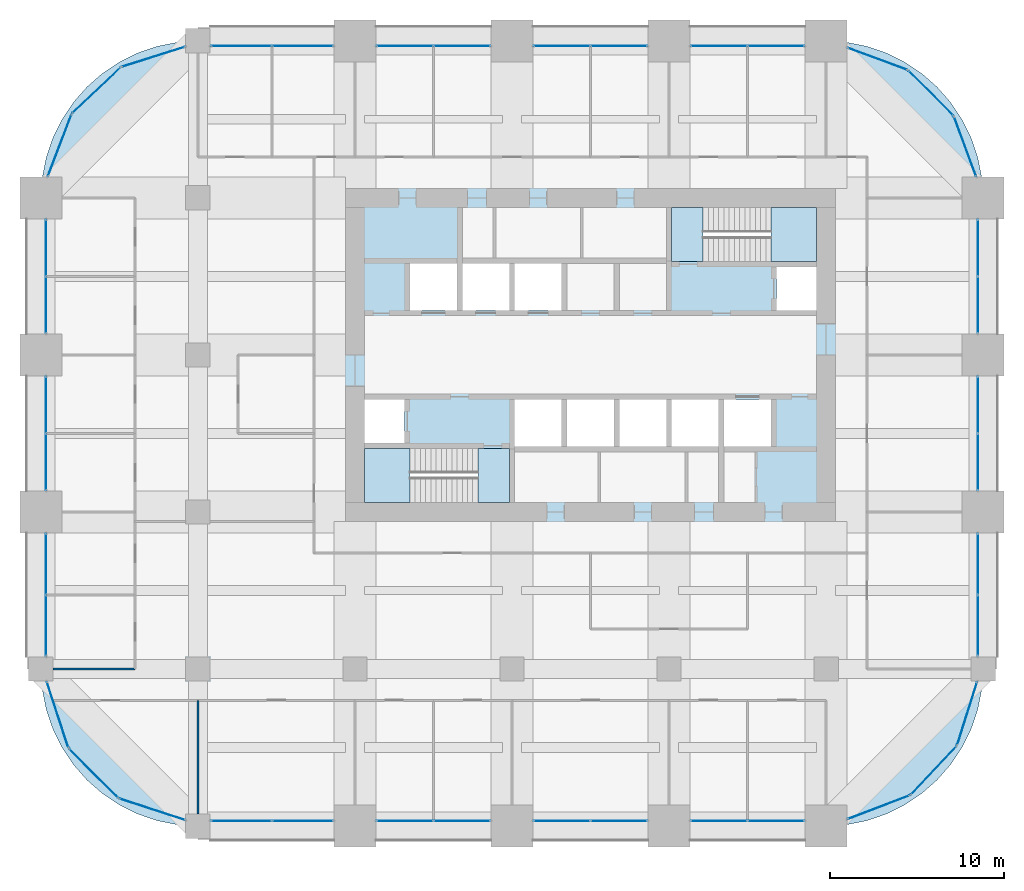
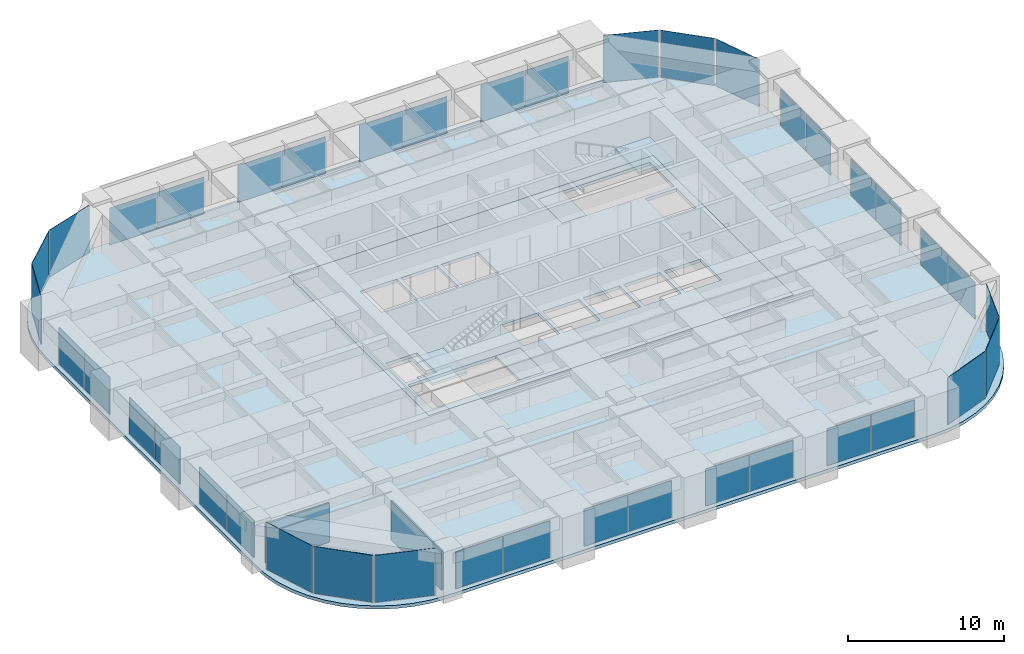
# One storey, part 29 of 35: 40 plates, 6 slabs, 2 walls, 28 elements without a shape of their own.
"""IFC4 building model written with IfcOpenShell, lengths in metres."""

from ifc_helpers import new_model, si_unit, direction, frame, frame_2d, origin, origin_2d, place, context, subcontext, project, spatial, polyline, rectangle, outline, extrude, material, layer, layer_set, type_object, element, aggregate, save


model = new_model("IFC4")

# Units and contexts
model_context = context("Model", 3, precision=1e-05, world=origin(), true_north=direction((0.0, 1.0)))
body_context = subcontext(model_context, "Body", "Model", "MODEL_VIEW")
ifc_project = project(units=[si_unit("LENGTHUNIT", "METRE"), si_unit("AREAUNIT", "SQUARE_METRE"), si_unit("VOLUMEUNIT", "CUBIC_METRE"), si_unit("PLANEANGLEUNIT", "RADIAN"), si_unit("MASSUNIT", "GRAM", prefix="KILO")], contexts=[model_context])

# Site, building, storey
site_placement = place(None, origin())
site = spatial("IfcSite", under=ifc_project, at=site_placement, CompositionType="ELEMENT")
building_placement = place(site_placement, origin())
building = spatial("IfcBuilding", under=site, at=building_placement, Name="Zorevar Civic Tower", CompositionType="ELEMENT")
storey_placement = place(building_placement, frame((0.0, 0.0, 222.199951171875)))
storey = spatial("IfcBuildingStorey", under=building, at=storey_placement, Name="L54", CompositionType="ELEMENT", Elevation=222.199951171875)

# Curtain wall, plates
ifc_material_1 = material(Name="Dark grey solar-control glass in black aluminium frame", Category="aluminium")
curtain_wall_type = type_object("IfcCurtainWallType", Name="Curtain wall CW4 high zone", PredefinedType="NOTDEFINED", material=ifc_material_1)
curtain_wall_1_placement = place(storey_placement, origin())
curtain_wall_1 = element("IfcCurtainWall", 1, at=curtain_wall_1_placement, inside=storey, type_object=curtain_wall_type, Name="CW4 L54", PredefinedType="NOTDEFINED")
ifc_material_2 = material(Name="Dark grey solar-control glass", Category="glass")
ifc_layer_1 = layer(ifc_material_2, 0.028076171875)
ifc_layer_set_1 = layer_set([ifc_layer_1], Name="CW4 panel 28")
plate_type = type_object("IfcPlateType", Name="CW4 panel 28", PredefinedType="CURTAIN_PANEL", material=ifc_layer_set_1)
plate_1_placement = place(storey_placement, frame((11.489990234375, 0.300048828125, 0.06005859375), z_axis=(0.0, 0.0, 1.0), x_axis=(1.0, 0.0, 0.0)))
plate_1 = element("IfcPlate", 2, at=plate_1_placement, type_object=plate_type, Name="CW4 panel 1.1", PredefinedType="CURTAIN_PANEL", context=body_context, shape_type="SweptSolid", body=[
    extrude(rectangle(XDim=3.4599609375, YDim=0.028076171875, at=origin_2d()), origin(), (0.0, 0.0, 1.0), 2.889892578125),
])
plate_2_placement = place(storey_placement, frame((15.010009765625, 0.300048828125, 0.06005859375), z_axis=(0.0, 0.0, 1.0), x_axis=(1.0, 0.0, 0.0)))
plate_2 = element("IfcPlate", 3, at=plate_2_placement, type_object=plate_type, Name="CW4 panel 2.1", PredefinedType="CURTAIN_PANEL", context=body_context, shape_type="SweptSolid", body=[
    extrude(rectangle(XDim=3.4599609375, YDim=0.028076171875, at=origin_2d()), origin(), (0.0, 0.0, 1.0), 2.889892578125),
])
aggregate(curtain_wall_1, [plate_1, plate_2])

curtain_wall_2_placement = place(storey_placement, origin())
curtain_wall_2 = element("IfcCurtainWall", 4, at=curtain_wall_2_placement, inside=storey, type_object=curtain_wall_type, Name="CW4 L54", PredefinedType="NOTDEFINED")
plate_3_placement = place(storey_placement, frame((11.489990234375, 44.699951171875, 0.06005859375), z_axis=(0.0, 0.0, 1.0), x_axis=(1.0, 0.0, 0.0)))
plate_3 = element("IfcPlate", 5, at=plate_3_placement, type_object=plate_type, Name="CW4 panel 1.1", PredefinedType="CURTAIN_PANEL", context=body_context, shape_type="SweptSolid", body=[
    extrude(rectangle(XDim=3.4599609375, YDim=0.028076171875, at=origin_2d()), origin(), (0.0, 0.0, 1.0), 2.889892578125),
])
plate_4_placement = place(storey_placement, frame((15.010009765625, 44.699951171875, 0.06005859375), z_axis=(0.0, 0.0, 1.0), x_axis=(1.0, 0.0, 0.0)))
plate_4 = element("IfcPlate", 6, at=plate_4_placement, type_object=plate_type, Name="CW4 panel 2.1", PredefinedType="CURTAIN_PANEL", context=body_context, shape_type="SweptSolid", body=[
    extrude(rectangle(XDim=3.4599609375, YDim=0.028076171875, at=origin_2d()), origin(), (0.0, 0.0, 1.0), 2.889892578125),
])
aggregate(curtain_wall_2, [plate_3, plate_4])

curtain_wall_3_placement = place(storey_placement, origin())
curtain_wall_3 = element("IfcCurtainWall", 7, at=curtain_wall_3_placement, inside=storey, type_object=curtain_wall_type, Name="CW4 L54", PredefinedType="NOTDEFINED")
plate_5_placement = place(storey_placement, frame((20.864990234375, 0.300048828125, 0.06005859375), z_axis=(0.0, 0.0, 1.0), x_axis=(1.0, 0.0, 0.0)))
plate_5 = element("IfcPlate", 8, at=plate_5_placement, type_object=plate_type, Name="CW4 panel 1.1", PredefinedType="CURTAIN_PANEL", context=body_context, shape_type="SweptSolid", body=[
    extrude(rectangle(XDim=3.2099609375, YDim=0.028076171875, at=origin_2d()), origin(), (0.0, 0.0, 1.0), 2.889892578125),
])
plate_6_placement = place(storey_placement, frame((24.135009765625, 0.300048828125, 0.06005859375), z_axis=(0.0, 0.0, 1.0), x_axis=(1.0, 0.0, 0.0)))
plate_6 = element("IfcPlate", 9, at=plate_6_placement, type_object=plate_type, Name="CW4 panel 2.1", PredefinedType="CURTAIN_PANEL", context=body_context, shape_type="SweptSolid", body=[
    extrude(rectangle(XDim=3.2099609375, YDim=0.028076171875, at=origin_2d()), origin(), (0.0, 0.0, 1.0), 2.889892578125),
])
aggregate(curtain_wall_3, [plate_5, plate_6])

curtain_wall_4_placement = place(storey_placement, origin())
curtain_wall_4 = element("IfcCurtainWall", 10, at=curtain_wall_4_placement, inside=storey, type_object=curtain_wall_type, Name="CW4 L54", PredefinedType="NOTDEFINED")
plate_7_placement = place(storey_placement, frame((20.864990234375, 44.699951171875, 0.06005859375), z_axis=(0.0, 0.0, 1.0), x_axis=(1.0, 0.0, 0.0)))
plate_7 = element("IfcPlate", 11, at=plate_7_placement, type_object=plate_type, Name="CW4 panel 1.1", PredefinedType="CURTAIN_PANEL", context=body_context, shape_type="SweptSolid", body=[
    extrude(rectangle(XDim=3.2099609375, YDim=0.028076171875, at=origin_2d()), origin(), (0.0, 0.0, 1.0), 2.889892578125),
])
plate_8_placement = place(storey_placement, frame((24.135009765625, 44.699951171875, 0.06005859375), z_axis=(0.0, 0.0, 1.0), x_axis=(1.0, 0.0, 0.0)))
plate_8 = element("IfcPlate", 12, at=plate_8_placement, type_object=plate_type, Name="CW4 panel 2.1", PredefinedType="CURTAIN_PANEL", context=body_context, shape_type="SweptSolid", body=[
    extrude(rectangle(XDim=3.2099609375, YDim=0.028076171875, at=origin_2d()), origin(), (0.0, 0.0, 1.0), 2.889892578125),
])
aggregate(curtain_wall_4, [plate_7, plate_8])

curtain_wall_5_placement = place(storey_placement, origin())
curtain_wall_5 = element("IfcCurtainWall", 13, at=curtain_wall_5_placement, inside=storey, type_object=curtain_wall_type, Name="CW4 L54", PredefinedType="NOTDEFINED")
plate_9_placement = place(storey_placement, frame((29.864990234375, 0.300048828125, 0.06005859375), z_axis=(0.0, 0.0, 1.0), x_axis=(1.0, 0.0, 0.0)))
plate_9 = element("IfcPlate", 14, at=plate_9_placement, type_object=plate_type, Name="CW4 panel 1.1", PredefinedType="CURTAIN_PANEL", context=body_context, shape_type="SweptSolid", body=[
    extrude(rectangle(XDim=3.2099609375, YDim=0.028076171875, at=origin_2d()), origin(), (0.0, 0.0, 1.0), 2.889892578125),
])
plate_10_placement = place(storey_placement, frame((33.135009765625, 0.300048828125, 0.06005859375), z_axis=(0.0, 0.0, 1.0), x_axis=(1.0, 0.0, 0.0)))
plate_10 = element("IfcPlate", 15, at=plate_10_placement, type_object=plate_type, Name="CW4 panel 2.1", PredefinedType="CURTAIN_PANEL", context=body_context, shape_type="SweptSolid", body=[
    extrude(rectangle(XDim=3.2099609375, YDim=0.028076171875, at=origin_2d()), origin(), (0.0, 0.0, 1.0), 2.889892578125),
])
aggregate(curtain_wall_5, [plate_9, plate_10])

curtain_wall_6_placement = place(storey_placement, origin())
curtain_wall_6 = element("IfcCurtainWall", 16, at=curtain_wall_6_placement, inside=storey, type_object=curtain_wall_type, Name="CW4 L54", PredefinedType="NOTDEFINED")
plate_11_placement = place(storey_placement, frame((29.864990234375, 44.699951171875, 0.06005859375), z_axis=(0.0, 0.0, 1.0), x_axis=(1.0, 0.0, 0.0)))
plate_11 = element("IfcPlate", 17, at=plate_11_placement, type_object=plate_type, Name="CW4 panel 1.1", PredefinedType="CURTAIN_PANEL", context=body_context, shape_type="SweptSolid", body=[
    extrude(rectangle(XDim=3.2099609375, YDim=0.028076171875, at=origin_2d()), origin(), (0.0, 0.0, 1.0), 2.889892578125),
])
plate_12_placement = place(storey_placement, frame((33.135009765625, 44.699951171875, 0.06005859375), z_axis=(0.0, 0.0, 1.0), x_axis=(1.0, 0.0, 0.0)))
plate_12 = element("IfcPlate", 18, at=plate_12_placement, type_object=plate_type, Name="CW4 panel 2.1", PredefinedType="CURTAIN_PANEL", context=body_context, shape_type="SweptSolid", body=[
    extrude(rectangle(XDim=3.2099609375, YDim=0.028076171875, at=origin_2d()), origin(), (0.0, 0.0, 1.0), 2.889892578125),
])
aggregate(curtain_wall_6, [plate_11, plate_12])

curtain_wall_7_placement = place(storey_placement, origin())
curtain_wall_7 = element("IfcCurtainWall", 19, at=curtain_wall_7_placement, inside=storey, type_object=curtain_wall_type, Name="CW4 L54", PredefinedType="NOTDEFINED")
plate_13_placement = place(storey_placement, frame((38.864990234375, 0.300048828125, 0.06005859375), z_axis=(0.0, 0.0, 1.0), x_axis=(1.0, 0.0, 0.0)))
plate_13 = element("IfcPlate", 20, at=plate_13_placement, type_object=plate_type, Name="CW4 panel 1.1", PredefinedType="CURTAIN_PANEL", context=body_context, shape_type="SweptSolid", body=[
    extrude(rectangle(XDim=3.2099609375, YDim=0.028076171875, at=origin_2d()), origin(), (0.0, 0.0, 1.0), 2.889892578125),
])
plate_14_placement = place(storey_placement, frame((42.135009765625, 0.300048828125, 0.06005859375), z_axis=(0.0, 0.0, 1.0), x_axis=(1.0, 0.0, 0.0)))
plate_14 = element("IfcPlate", 21, at=plate_14_placement, type_object=plate_type, Name="CW4 panel 2.1", PredefinedType="CURTAIN_PANEL", context=body_context, shape_type="SweptSolid", body=[
    extrude(rectangle(XDim=3.2099609375, YDim=0.028076171875, at=origin_2d()), origin(), (0.0, 0.0, 1.0), 2.889892578125),
])
aggregate(curtain_wall_7, [plate_13, plate_14])

curtain_wall_8_placement = place(storey_placement, origin())
curtain_wall_8 = element("IfcCurtainWall", 22, at=curtain_wall_8_placement, inside=storey, type_object=curtain_wall_type, Name="CW4 L54", PredefinedType="NOTDEFINED")
plate_15_placement = place(storey_placement, frame((38.864990234375, 44.699951171875, 0.06005859375), z_axis=(0.0, 0.0, 1.0), x_axis=(1.0, 0.0, 0.0)))
plate_15 = element("IfcPlate", 23, at=plate_15_placement, type_object=plate_type, Name="CW4 panel 1.1", PredefinedType="CURTAIN_PANEL", context=body_context, shape_type="SweptSolid", body=[
    extrude(rectangle(XDim=3.2099609375, YDim=0.028076171875, at=origin_2d()), origin(), (0.0, 0.0, 1.0), 2.889892578125),
])
plate_16_placement = place(storey_placement, frame((42.135009765625, 44.699951171875, 0.06005859375), z_axis=(0.0, 0.0, 1.0), x_axis=(1.0, 0.0, 0.0)))
plate_16 = element("IfcPlate", 24, at=plate_16_placement, type_object=plate_type, Name="CW4 panel 2.1", PredefinedType="CURTAIN_PANEL", context=body_context, shape_type="SweptSolid", body=[
    extrude(rectangle(XDim=3.2099609375, YDim=0.028076171875, at=origin_2d()), origin(), (0.0, 0.0, 1.0), 2.889892578125),
])
aggregate(curtain_wall_8, [plate_15, plate_16])

curtain_wall_9_placement = place(storey_placement, origin())
curtain_wall_9 = element("IfcCurtainWall", 25, at=curtain_wall_9_placement, inside=storey, type_object=curtain_wall_type, Name="CW4 L54", PredefinedType="NOTDEFINED")
plate_17_placement = place(storey_placement, frame((0.300048828125, 11.489990234375, 0.06005859375), z_axis=(0.0, 0.0, 1.0), x_axis=(0.0, 1.0, 0.0)))
plate_17 = element("IfcPlate", 26, at=plate_17_placement, type_object=plate_type, Name="CW4 panel 1.1", PredefinedType="CURTAIN_PANEL", context=body_context, shape_type="SweptSolid", body=[
    extrude(rectangle(XDim=3.4599609375, YDim=0.028076171875, at=origin_2d()), origin(), (0.0, 0.0, 1.0), 2.889892578125),
])
plate_18_placement = place(storey_placement, frame((0.300048828125, 15.010009765625, 0.06005859375), z_axis=(0.0, 0.0, 1.0), x_axis=(0.0, 1.0, 0.0)))
plate_18 = element("IfcPlate", 27, at=plate_18_placement, type_object=plate_type, Name="CW4 panel 2.1", PredefinedType="CURTAIN_PANEL", context=body_context, shape_type="SweptSolid", body=[
    extrude(rectangle(XDim=3.4599609375, YDim=0.028076171875, at=origin_2d()), origin(), (0.0, 0.0, 1.0), 2.889892578125),
])
aggregate(curtain_wall_9, [plate_17, plate_18])

curtain_wall_10_placement = place(storey_placement, origin())
curtain_wall_10 = element("IfcCurtainWall", 28, at=curtain_wall_10_placement, inside=storey, type_object=curtain_wall_type, Name="CW4 L54", PredefinedType="NOTDEFINED")
plate_19_placement = place(storey_placement, frame((53.699951171875, 11.489990234375, 0.06005859375), z_axis=(0.0, 0.0, 1.0), x_axis=(0.0, 1.0, 0.0)))
plate_19 = element("IfcPlate", 29, at=plate_19_placement, type_object=plate_type, Name="CW4 panel 1.1", PredefinedType="CURTAIN_PANEL", context=body_context, shape_type="SweptSolid", body=[
    extrude(rectangle(XDim=3.4599609375, YDim=0.028076171875, at=origin_2d()), origin(), (0.0, 0.0, 1.0), 2.889892578125),
])
plate_20_placement = place(storey_placement, frame((53.699951171875, 15.010009765625, 0.06005859375), z_axis=(0.0, 0.0, 1.0), x_axis=(0.0, 1.0, 0.0)))
plate_20 = element("IfcPlate", 30, at=plate_20_placement, type_object=plate_type, Name="CW4 panel 2.1", PredefinedType="CURTAIN_PANEL", context=body_context, shape_type="SweptSolid", body=[
    extrude(rectangle(XDim=3.4599609375, YDim=0.028076171875, at=origin_2d()), origin(), (0.0, 0.0, 1.0), 2.889892578125),
])
aggregate(curtain_wall_10, [plate_19, plate_20])

curtain_wall_11_placement = place(storey_placement, origin())
curtain_wall_11 = element("IfcCurtainWall", 31, at=curtain_wall_11_placement, inside=storey, type_object=curtain_wall_type, Name="CW4 L54", PredefinedType="NOTDEFINED")
plate_21_placement = place(storey_placement, frame((0.300048828125, 20.864990234375, 0.06005859375), z_axis=(0.0, 0.0, 1.0), x_axis=(0.0, 1.0, 0.0)))
plate_21 = element("IfcPlate", 32, at=plate_21_placement, type_object=plate_type, Name="CW4 panel 1.1", PredefinedType="CURTAIN_PANEL", context=body_context, shape_type="SweptSolid", body=[
    extrude(rectangle(XDim=3.2099609375, YDim=0.028076171875, at=origin_2d()), origin(), (0.0, 0.0, 1.0), 2.889892578125),
])
plate_22_placement = place(storey_placement, frame((0.300048828125, 24.135009765625, 0.06005859375), z_axis=(0.0, 0.0, 1.0), x_axis=(0.0, 1.0, 0.0)))
plate_22 = element("IfcPlate", 33, at=plate_22_placement, type_object=plate_type, Name="CW4 panel 2.1", PredefinedType="CURTAIN_PANEL", context=body_context, shape_type="SweptSolid", body=[
    extrude(rectangle(XDim=3.2099609375, YDim=0.028076171875, at=origin_2d()), origin(), (0.0, 0.0, 1.0), 2.889892578125),
])
aggregate(curtain_wall_11, [plate_21, plate_22])

curtain_wall_12_placement = place(storey_placement, origin())
curtain_wall_12 = element("IfcCurtainWall", 34, at=curtain_wall_12_placement, inside=storey, type_object=curtain_wall_type, Name="CW4 L54", PredefinedType="NOTDEFINED")
plate_23_placement = place(storey_placement, frame((53.699951171875, 20.864990234375, 0.06005859375), z_axis=(0.0, 0.0, 1.0), x_axis=(0.0, 1.0, 0.0)))
plate_23 = element("IfcPlate", 35, at=plate_23_placement, type_object=plate_type, Name="CW4 panel 1.1", PredefinedType="CURTAIN_PANEL", context=body_context, shape_type="SweptSolid", body=[
    extrude(rectangle(XDim=3.2099609375, YDim=0.028076171875, at=origin_2d()), origin(), (0.0, 0.0, 1.0), 2.889892578125),
])
plate_24_placement = place(storey_placement, frame((53.699951171875, 24.135009765625, 0.06005859375), z_axis=(0.0, 0.0, 1.0), x_axis=(0.0, 1.0, 0.0)))
plate_24 = element("IfcPlate", 36, at=plate_24_placement, type_object=plate_type, Name="CW4 panel 2.1", PredefinedType="CURTAIN_PANEL", context=body_context, shape_type="SweptSolid", body=[
    extrude(rectangle(XDim=3.2099609375, YDim=0.028076171875, at=origin_2d()), origin(), (0.0, 0.0, 1.0), 2.889892578125),
])
aggregate(curtain_wall_12, [plate_23, plate_24])

curtain_wall_13_placement = place(storey_placement, origin())
curtain_wall_13 = element("IfcCurtainWall", 37, at=curtain_wall_13_placement, inside=storey, type_object=curtain_wall_type, Name="CW4 L54", PredefinedType="NOTDEFINED")
plate_25_placement = place(storey_placement, frame((0.300048828125, 29.864990234375, 0.06005859375), z_axis=(0.0, 0.0, 1.0), x_axis=(0.0, 1.0, 0.0)))
plate_25 = element("IfcPlate", 38, at=plate_25_placement, type_object=plate_type, Name="CW4 panel 1.1", PredefinedType="CURTAIN_PANEL", context=body_context, shape_type="SweptSolid", body=[
    extrude(rectangle(XDim=3.2099609375, YDim=0.028076171875, at=origin_2d()), origin(), (0.0, 0.0, 1.0), 2.889892578125),
])
plate_26_placement = place(storey_placement, frame((0.300048828125, 33.135009765625, 0.06005859375), z_axis=(0.0, 0.0, 1.0), x_axis=(0.0, 1.0, 0.0)))
plate_26 = element("IfcPlate", 39, at=plate_26_placement, type_object=plate_type, Name="CW4 panel 2.1", PredefinedType="CURTAIN_PANEL", context=body_context, shape_type="SweptSolid", body=[
    extrude(rectangle(XDim=3.2099609375, YDim=0.028076171875, at=origin_2d()), origin(), (0.0, 0.0, 1.0), 2.889892578125),
])
aggregate(curtain_wall_13, [plate_25, plate_26])

curtain_wall_14_placement = place(storey_placement, origin())
curtain_wall_14 = element("IfcCurtainWall", 40, at=curtain_wall_14_placement, inside=storey, type_object=curtain_wall_type, Name="CW4 L54", PredefinedType="NOTDEFINED")
plate_27_placement = place(storey_placement, frame((53.699951171875, 29.864990234375, 0.06005859375), z_axis=(0.0, 0.0, 1.0), x_axis=(0.0, 1.0, 0.0)))
plate_27 = element("IfcPlate", 41, at=plate_27_placement, type_object=plate_type, Name="CW4 panel 1.1", PredefinedType="CURTAIN_PANEL", context=body_context, shape_type="SweptSolid", body=[
    extrude(rectangle(XDim=3.2099609375, YDim=0.028076171875, at=origin_2d()), origin(), (0.0, 0.0, 1.0), 2.889892578125),
])
plate_28_placement = place(storey_placement, frame((53.699951171875, 33.135009765625, 0.06005859375), z_axis=(0.0, 0.0, 1.0), x_axis=(0.0, 1.0, 0.0)))
plate_28 = element("IfcPlate", 42, at=plate_28_placement, type_object=plate_type, Name="CW4 panel 2.1", PredefinedType="CURTAIN_PANEL", context=body_context, shape_type="SweptSolid", body=[
    extrude(rectangle(XDim=3.2099609375, YDim=0.028076171875, at=origin_2d()), origin(), (0.0, 0.0, 1.0), 2.889892578125),
])
aggregate(curtain_wall_14, [plate_27, plate_28])

# Curtain wall, plate
curtain_wall_15_placement = place(storey_placement, origin())
curtain_wall_15 = element("IfcCurtainWall", 43, at=curtain_wall_15_placement, inside=storey, type_object=curtain_wall_type, Name="CW4 L54", PredefinedType="NOTDEFINED")
plate_29_placement = place(storey_placement, frame((48.0166015625, 1.07470703125, 0.06005859375), z_axis=(0.0, 0.0, 1.0), x_axis=(0.93458842801, 0.355730895803, 0.0)))
plate_29 = element("IfcPlate", 44, at=plate_29_placement, type_object=plate_type, Name="CW4 panel 1.1", PredefinedType="CURTAIN_PANEL", context=body_context, shape_type="SweptSolid", body=[
    extrude(rectangle(XDim=3.767333984375, YDim=0.028076171875, at=origin_2d()), origin(), (0.0, 0.0, 1.0), 3.68994140625),
])
aggregate(curtain_wall_15, [plate_29])

curtain_wall_16_placement = place(storey_placement, origin())
curtain_wall_16 = element("IfcCurtainWall", 45, at=curtain_wall_16_placement, inside=storey, type_object=curtain_wall_type, Name="CW4 L54", PredefinedType="NOTDEFINED")
plate_30_placement = place(storey_placement, frame((51.167236328125, 3.179443359375, 0.06005859375), z_axis=(0.0, 0.0, 1.0), x_axis=(0.686377907265, 0.727245053898, 0.0)))
plate_30 = element("IfcPlate", 46, at=plate_30_placement, type_object=plate_type, Name="CW4 panel 1.1", PredefinedType="CURTAIN_PANEL", context=body_context, shape_type="SweptSolid", body=[
    extrude(rectangle(XDim=3.767333984375, YDim=0.028076171875, at=origin_2d()), origin(), (0.0, 0.0, 1.0), 3.68994140625),
])
aggregate(curtain_wall_16, [plate_30])

curtain_wall_17_placement = place(storey_placement, origin())
curtain_wall_17 = element("IfcCurtainWall", 47, at=curtain_wall_17_placement, inside=storey, type_object=curtain_wall_type, Name="CW4 L54", PredefinedType="NOTDEFINED")
plate_31_placement = place(storey_placement, frame((53.08642578125, 6.446533203125, 0.06005859375), z_axis=(0.0, 0.0, 1.0), x_axis=(0.301108296077, 0.953589950678, 0.0)))
plate_31 = element("IfcPlate", 48, at=plate_31_placement, type_object=plate_type, Name="CW4 panel 1.1", PredefinedType="CURTAIN_PANEL", context=body_context, shape_type="SweptSolid", body=[
    extrude(rectangle(XDim=3.767333984375, YDim=0.028076171875, at=origin_2d()), origin(), (0.0, 0.0, 1.0), 3.68994140625),
])
aggregate(curtain_wall_17, [plate_31])

curtain_wall_18_placement = place(storey_placement, origin())
curtain_wall_18 = element("IfcCurtainWall", 49, at=curtain_wall_18_placement, inside=storey, type_object=curtain_wall_type, Name="CW4 L54", PredefinedType="NOTDEFINED")
plate_32_placement = place(storey_placement, frame((52.97119140625, 38.9462890625, 0.06005859375), z_axis=(0.0, 0.0, 1.0), x_axis=(-0.346704012033, 0.937974588163, 0.0)))
plate_32 = element("IfcPlate", 50, at=plate_32_placement, type_object=plate_type, Name="CW4 panel 1.1", PredefinedType="CURTAIN_PANEL", context=body_context, shape_type="SweptSolid", body=[
    extrude(rectangle(XDim=3.603759765625, YDim=0.028076171875, at=origin_2d()), origin(), (0.0, 0.0, 1.0), 3.68994140625),
])
aggregate(curtain_wall_18, [plate_32])

curtain_wall_19_placement = place(storey_placement, origin())
curtain_wall_19 = element("IfcCurtainWall", 51, at=curtain_wall_19_placement, inside=storey, type_object=curtain_wall_type, Name="CW4 L54", PredefinedType="NOTDEFINED")
plate_33_placement = place(storey_placement, frame((51.00927734375, 42.00927734375, 0.06005859375), z_axis=(0.0, 0.0, 1.0), x_axis=(-0.707106781187, 0.707106781187, 0.0)))
plate_33 = element("IfcPlate", 52, at=plate_33_placement, type_object=plate_type, Name="CW4 panel 1.1", PredefinedType="CURTAIN_PANEL", context=body_context, shape_type="SweptSolid", body=[
    extrude(rectangle(XDim=3.603759765625, YDim=0.028076171875, at=origin_2d()), origin(), (0.0, 0.0, 1.0), 3.68994140625),
])
aggregate(curtain_wall_19, [plate_33])

curtain_wall_20_placement = place(storey_placement, origin())
curtain_wall_20 = element("IfcCurtainWall", 53, at=curtain_wall_20_placement, inside=storey, type_object=curtain_wall_type, Name="CW4 L54", PredefinedType="NOTDEFINED")
plate_34_placement = place(storey_placement, frame((47.9462890625, 43.97119140625, 0.06005859375), z_axis=(0.0, 0.0, 1.0), x_axis=(-0.937974588163, 0.346704012033, 0.0)))
plate_34 = element("IfcPlate", 54, at=plate_34_placement, type_object=plate_type, Name="CW4 panel 1.1", PredefinedType="CURTAIN_PANEL", context=body_context, shape_type="SweptSolid", body=[
    extrude(rectangle(XDim=3.603759765625, YDim=0.028076171875, at=origin_2d()), origin(), (0.0, 0.0, 1.0), 3.68994140625),
])
aggregate(curtain_wall_20, [plate_34])

curtain_wall_21_placement = place(storey_placement, origin())
curtain_wall_21 = element("IfcCurtainWall", 55, at=curtain_wall_21_placement, inside=storey, type_object=curtain_wall_type, Name="CW4 L54", PredefinedType="NOTDEFINED")
plate_35_placement = place(storey_placement, frame((6.446533203125, 44.08642578125, 0.06005859375), z_axis=(0.0, 0.0, 1.0), x_axis=(-0.953589950678, -0.301108296077, 0.0)))
plate_35 = element("IfcPlate", 56, at=plate_35_placement, type_object=plate_type, Name="CW4 panel 1.1", PredefinedType="CURTAIN_PANEL", context=body_context, shape_type="SweptSolid", body=[
    extrude(rectangle(XDim=3.767333984375, YDim=0.028076171875, at=origin_2d()), origin(), (0.0, 0.0, 1.0), 3.68994140625),
])
aggregate(curtain_wall_21, [plate_35])

curtain_wall_22_placement = place(storey_placement, origin())
curtain_wall_22 = element("IfcCurtainWall", 57, at=curtain_wall_22_placement, inside=storey, type_object=curtain_wall_type, Name="CW4 L54", PredefinedType="NOTDEFINED")
plate_36_placement = place(storey_placement, frame((3.179443359375, 42.167236328125, 0.06005859375), z_axis=(0.0, 0.0, 1.0), x_axis=(-0.727245053898, -0.686377907265, 0.0)))
plate_36 = element("IfcPlate", 58, at=plate_36_placement, type_object=plate_type, Name="CW4 panel 1.1", PredefinedType="CURTAIN_PANEL", context=body_context, shape_type="SweptSolid", body=[
    extrude(rectangle(XDim=3.767333984375, YDim=0.028076171875, at=origin_2d()), origin(), (0.0, 0.0, 1.0), 3.68994140625),
])
aggregate(curtain_wall_22, [plate_36])

curtain_wall_23_placement = place(storey_placement, origin())
curtain_wall_23 = element("IfcCurtainWall", 59, at=curtain_wall_23_placement, inside=storey, type_object=curtain_wall_type, Name="CW4 L54", PredefinedType="NOTDEFINED")
plate_37_placement = place(storey_placement, frame((1.07470703125, 39.0166015625, 0.06005859375), z_axis=(0.0, 0.0, 1.0), x_axis=(-0.355730895803, -0.93458842801, 0.0)))
plate_37 = element("IfcPlate", 60, at=plate_37_placement, type_object=plate_type, Name="CW4 panel 1.1", PredefinedType="CURTAIN_PANEL", context=body_context, shape_type="SweptSolid", body=[
    extrude(rectangle(XDim=3.767333984375, YDim=0.028076171875, at=origin_2d()), origin(), (0.0, 0.0, 1.0), 3.68994140625),
])
aggregate(curtain_wall_23, [plate_37])

curtain_wall_24_placement = place(storey_placement, origin())
curtain_wall_24 = element("IfcCurtainWall", 61, at=curtain_wall_24_placement, inside=storey, type_object=curtain_wall_type, Name="CW4 L54", PredefinedType="NOTDEFINED")
plate_38_placement = place(storey_placement, frame((0.956787109375, 6.374755859375, 0.06005859375), z_axis=(0.0, 0.0, 1.0), x_axis=(0.310281419775, -0.950644749916, 0.0)))
plate_38 = element("IfcPlate", 62, at=plate_38_placement, type_object=plate_type, Name="CW4 panel 1.1", PredefinedType="CURTAIN_PANEL", context=body_context, shape_type="SweptSolid", body=[
    extrude(rectangle(XDim=3.9306640625, YDim=0.028076171875, at=origin_2d()), origin(), (0.0, 0.0, 1.0), 3.68994140625),
])
aggregate(curtain_wall_24, [plate_38])

curtain_wall_25_placement = place(storey_placement, origin())
curtain_wall_25 = element("IfcCurtainWall", 63, at=curtain_wall_25_placement, inside=storey, type_object=curtain_wall_type, Name="CW4 L54", PredefinedType="NOTDEFINED")
plate_39_placement = place(storey_placement, frame((3.01708984375, 3.01708984375, 0.06005859375), z_axis=(0.0, 0.0, 1.0), x_axis=(0.707106781187, -0.707106781187, 0.0)))
plate_39 = element("IfcPlate", 64, at=plate_39_placement, type_object=plate_type, Name="CW4 panel 1.1", PredefinedType="CURTAIN_PANEL", context=body_context, shape_type="SweptSolid", body=[
    extrude(rectangle(XDim=3.9306640625, YDim=0.028076171875, at=origin_2d()), origin(), (0.0, 0.0, 1.0), 3.68994140625),
])
aggregate(curtain_wall_25, [plate_39])

curtain_wall_26_placement = place(storey_placement, origin())
curtain_wall_26 = element("IfcCurtainWall", 65, at=curtain_wall_26_placement, inside=storey, type_object=curtain_wall_type, Name="CW4 L54", PredefinedType="NOTDEFINED")
plate_40_placement = place(storey_placement, frame((6.374755859375, 0.956787109375, 0.06005859375), z_axis=(0.0, 0.0, 1.0), x_axis=(0.950644749916, -0.310281419775, 0.0)))
plate_40 = element("IfcPlate", 66, at=plate_40_placement, type_object=plate_type, Name="CW4 panel 1.1", PredefinedType="CURTAIN_PANEL", context=body_context, shape_type="SweptSolid", body=[
    extrude(rectangle(XDim=3.9306640625, YDim=0.028076171875, at=origin_2d()), origin(), (0.0, 0.0, 1.0), 3.68994140625),
])
aggregate(curtain_wall_26, [plate_40])

# Slabs
ifc_material_3 = material(Name="Concrete C40/50", Category="concrete")
ifc_layer_2 = layer(ifc_material_3, 0.25)
ifc_layer_set_2 = layer_set([ifc_layer_2], Name="Floor slab 250")
slab_type_1 = type_object("IfcSlabType", Name="Floor slab 250", PredefinedType="FLOOR", material=ifc_layer_set_2)
slab_1_placement = place(storey_placement, frame((0.0, 0.0, -0.25)))
element("IfcSlab", 67, at=slab_1_placement, inside=storey, type_object=slab_type_1, Name="Floor slab L54", PredefinedType="FLOOR", context=body_context, shape_type="SweptSolid", body=[
    extrude(outline(polyline([(45.0, 0.0), (46.1748046875, 0.076904296875), (47.329345703125, 0.306640625), (48.444091796875, 0.68505859375), (49.5, 1.205810546875), (50.478759765625, 1.85986328125), (51.364013671875, 2.635986328125), (52.14013671875, 3.521240234375), (52.794189453125, 4.5), (53.31494140625, 5.555908203125), (53.693359375, 6.670654296875), (53.923095703125, 7.8251953125), (54.0, 9.0), (54.0, 36.0), (53.923095703125, 37.1748046875), (53.693359375, 38.329345703125), (53.31494140625, 39.444091796875), (52.794189453125, 40.5), (52.14013671875, 41.478759765625), (51.364013671875, 42.364013671875), (50.478759765625, 43.14013671875), (49.5, 43.794189453125), (48.444091796875, 44.31494140625), (47.329345703125, 44.693359375), (46.1748046875, 44.923095703125), (45.0, 45.0), (9.0, 45.0), (7.8251953125, 44.923095703125), (6.670654296875, 44.693359375), (5.555908203125, 44.31494140625), (4.5, 43.794189453125), (3.521240234375, 43.14013671875), (2.635986328125, 42.364013671875), (1.85986328125, 41.478759765625), (1.205810546875, 40.5), (0.68505859375, 39.444091796875), (0.306640625, 38.329345703125), (0.076904296875, 37.1748046875), (0.0, 36.0), (0.0, 9.0), (0.076904296875, 7.8251953125), (0.306640625, 6.670654296875), (0.68505859375, 5.555908203125), (1.205810546875, 4.5), (1.85986328125, 3.521240234375), (2.635986328125, 2.635986328125), (3.521240234375, 1.85986328125), (4.5, 1.205810546875), (5.555908203125, 0.68505859375), (6.670654296875, 0.306640625), (7.8251953125, 0.076904296875), (9.0, 0.0), (45.0, 0.0)]), holes=[polyline([(18.0, 18.0), (45.0, 18.0), (45.0, 36.0), (18.0, 36.0), (18.0, 18.0)])]), origin(), (0.0, 0.0, 1.0), 0.25),
])
slab_2_placement = place(storey_placement, frame((0.0, 0.0, -0.25)))
element("IfcSlab", 68, at=slab_2_placement, inside=storey, type_object=slab_type_1, Name="Core floor L54", PredefinedType="FLOOR", context=body_context, shape_type="SweptSolid", body=[
    extrude(outline(polyline([(18.0, 18.0), (45.0, 18.0), (45.0, 36.0), (18.0, 36.0), (18.0, 18.0)]), holes=[polyline([(18.550048828125, 18.550048828125), (26.85009765625, 18.550048828125), (26.85009765625, 21.64990234375), (18.550048828125, 21.64990234375), (18.550048828125, 18.550048828125)]), polyline([(36.14990234375, 32.35009765625), (44.449951171875, 32.35009765625), (44.449951171875, 35.449951171875), (36.14990234375, 35.449951171875), (36.14990234375, 32.35009765625)]), polyline([(18.550048828125, 21.949951171875), (20.85009765625, 21.949951171875), (20.85009765625, 24.449951171875), (18.550048828125, 24.449951171875), (18.550048828125, 21.949951171875)]), polyline([(42.14990234375, 29.550048828125), (44.449951171875, 29.550048828125), (44.449951171875, 32.050048828125), (42.14990234375, 32.050048828125), (42.14990234375, 29.550048828125)]), polyline([(27.14990234375, 21.75), (29.85009765625, 21.75), (29.85009765625, 24.449951171875), (27.14990234375, 24.449951171875), (27.14990234375, 21.75)]), polyline([(30.14990234375, 21.75), (32.85009765625, 21.75), (32.85009765625, 24.449951171875), (30.14990234375, 24.449951171875), (30.14990234375, 21.75)]), polyline([(33.14990234375, 21.75), (35.85009765625, 21.75), (35.85009765625, 24.449951171875), (33.14990234375, 24.449951171875), (33.14990234375, 21.75)]), polyline([(27.14990234375, 29.550048828125), (29.85009765625, 29.550048828125), (29.85009765625, 32.25), (27.14990234375, 32.25), (27.14990234375, 29.550048828125)]), polyline([(36.14990234375, 21.75), (38.85009765625, 21.75), (38.85009765625, 24.449951171875), (36.14990234375, 24.449951171875), (36.14990234375, 21.75)]), polyline([(24.14990234375, 29.550048828125), (26.85009765625, 29.550048828125), (26.85009765625, 32.25), (24.14990234375, 32.25), (24.14990234375, 29.550048828125)]), polyline([(39.14990234375, 21.75), (41.85009765625, 21.75), (41.85009765625, 24.449951171875), (39.14990234375, 24.449951171875), (39.14990234375, 21.75)]), polyline([(21.14990234375, 29.550048828125), (23.85009765625, 29.550048828125), (23.85009765625, 32.25), (21.14990234375, 32.25), (21.14990234375, 29.550048828125)])]), origin(), (0.0, 0.0, 1.0), 0.25),
])

# Stair, slabs
ifc_material_4 = material(Name="Precast concrete C40/50", Category="concrete")
stair_type = type_object("IfcStairType", Name="Stair ST 28R", PredefinedType="HALF_TURN_STAIR", material=ifc_material_4)
stair_1_placement = place(storey_placement, origin())
stair_1 = element("IfcStair", 69, at=stair_1_placement, inside=storey, type_object=stair_type, Name="Stair ST1 L54", PredefinedType="HALF_TURN_STAIR")
ifc_material_5 = material(Name="Concrete C40/50", Category="concrete")
ifc_layer_3 = layer(ifc_material_5, 0.199951171875)
ifc_layer_set_3 = layer_set([ifc_layer_3], Name="Stair landing 200")
slab_type_2 = type_object("IfcSlabType", Name="Stair landing 200", PredefinedType="LANDING", material=ifc_layer_set_3)
slab_3_placement = place(storey_placement, frame((0.0, 0.0, -0.199951171875)))
slab_3 = element("IfcSlab", 70, at=slab_3_placement, type_object=slab_type_2, Name="ST1 landing 1", PredefinedType="LANDING", context=body_context, shape_type="SweptSolid", body=[
    extrude(outline(polyline([(25.050048828125, 18.550048828125), (26.85009765625, 18.550048828125), (26.85009765625, 21.64990234375), (25.050048828125, 21.64990234375), (25.050048828125, 18.550048828125)])), origin(), (0.0, 0.0, 1.0), 0.199951171875),
])
slab_4_placement = place(storey_placement, frame((0.0, 0.0, 1.800048828125)))
slab_4 = element("IfcSlab", 71, at=slab_4_placement, type_object=slab_type_2, Name="ST1 landing 2", PredefinedType="LANDING", context=body_context, shape_type="SweptSolid", body=[
    extrude(outline(polyline([(18.550048828125, 18.550048828125), (21.14990234375, 18.550048828125), (21.14990234375, 21.64990234375), (18.550048828125, 21.64990234375), (18.550048828125, 18.550048828125)])), origin(), (0.0, 0.0, 1.0), 0.199951171875),
])
aggregate(stair_1, [slab_3, slab_4])

stair_2_placement = place(storey_placement, origin())
stair_2 = element("IfcStair", 72, at=stair_2_placement, inside=storey, type_object=stair_type, Name="Stair ST2 L54", PredefinedType="HALF_TURN_STAIR")
slab_5_placement = place(storey_placement, frame((0.0, 0.0, -0.199951171875)))
slab_5 = element("IfcSlab", 73, at=slab_5_placement, type_object=slab_type_2, Name="ST2 landing 1", PredefinedType="LANDING", context=body_context, shape_type="SweptSolid", body=[
    extrude(outline(polyline([(37.949951171875, 32.35009765625), (36.14990234375, 32.35009765625), (36.14990234375, 35.449951171875), (37.949951171875, 35.449951171875), (37.949951171875, 32.35009765625)])), origin(), (0.0, 0.0, 1.0), 0.199951171875),
])
slab_6_placement = place(storey_placement, frame((0.0, 0.0, 1.800048828125)))
slab_6 = element("IfcSlab", 74, at=slab_6_placement, type_object=slab_type_2, Name="ST2 landing 2", PredefinedType="LANDING", context=body_context, shape_type="SweptSolid", body=[
    extrude(outline(polyline([(44.449951171875, 32.35009765625), (41.85009765625, 32.35009765625), (41.85009765625, 35.449951171875), (44.449951171875, 35.449951171875), (44.449951171875, 32.35009765625)])), origin(), (0.0, 0.0, 1.0), 0.199951171875),
])
aggregate(stair_2, [slab_5, slab_6])

# Walls
ifc_material_6 = material(Name="Gypsum board on steel studs", Category="steel")
ifc_layer_4 = layer(ifc_material_6, 0.1201171875)
ifc_layer_set_4 = layer_set([ifc_layer_4], Name="Partition 120")
wall_type = type_object("IfcWallType", Name="Partition 120", PredefinedType="PARTITIONING", material=ifc_layer_set_4)
wall_1_placement = place(storey_placement, frame((0.699951171875, 9.0, 0.0), z_axis=(0.0, 0.0, 1.0), x_axis=(1.0, 0.0, 0.0)))
element("IfcWall", 75, at=wall_1_placement, inside=storey, type_object=wall_type, Name="Partition 120 L54", PredefinedType="PARTITIONING", context=body_context, shape_type="SweptSolid", body=[
    extrude(rectangle(XDim=4.699951171875, YDim=0.1201171875, at=frame_2d((2.35009765625, 0.0))), origin(), (0.0, 0.0, 1.0), 3.050048828125),
])
wall_2_placement = place(storey_placement, frame((9.0, 0.699951171875, 0.0), z_axis=(0.0, 0.0, 1.0), x_axis=(0.0, 1.0, 0.0)))
element("IfcWall", 76, at=wall_2_placement, inside=storey, type_object=wall_type, Name="Partition 120 L54", PredefinedType="PARTITIONING", context=body_context, shape_type="SweptSolid", body=[
    extrude(rectangle(XDim=6.5, YDim=0.1201171875, at=frame_2d((3.25, 0.0))), origin(), (0.0, 0.0, 1.0), 3.050048828125),
])

save(model, "model.ifc")
